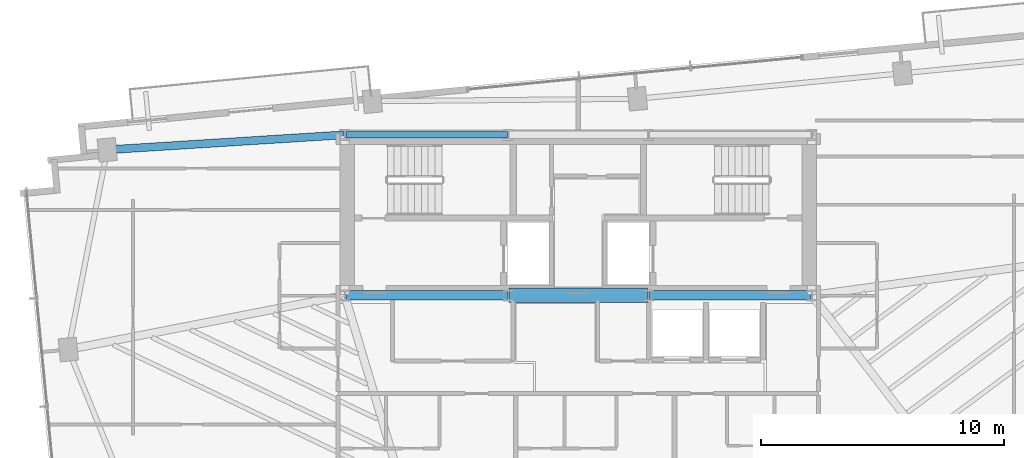
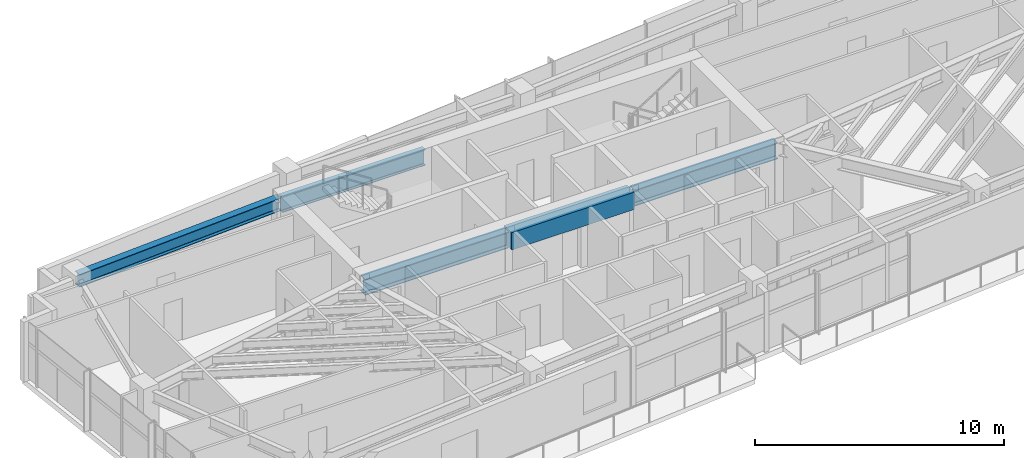
# One storey, part 5 of 18: 5 beams.
"""IFC4 building model written with IfcOpenShell, lengths in metres."""

from ifc_helpers import new_model, si_unit, direction, frame, origin, origin_2d, place, context, subcontext, project, spatial, rectangle, i_section, extrude, source, transform, mapped, material, material_profile, profile_set, type_object, type_shapes, element, save


model = new_model("IFC4")

# Units and contexts
model_context = context("Model", 3, precision=1e-05, world=origin(), true_north=direction((0.0, 1.0)))
body_context = subcontext(model_context, "Body", "Model", "MODEL_VIEW")
ifc_project = project(units=[si_unit("LENGTHUNIT", "METRE"), si_unit("AREAUNIT", "SQUARE_METRE"), si_unit("VOLUMEUNIT", "CUBIC_METRE"), si_unit("PLANEANGLEUNIT", "RADIAN"), si_unit("MASSUNIT", "GRAM", prefix="KILO")], contexts=[model_context])

# Site, building, storey
site_placement = place(None, origin())
site = spatial("IfcSite", under=ifc_project, at=site_placement, CompositionType="ELEMENT")
building_placement = place(site_placement, origin())
building = spatial("IfcBuilding", under=site, at=building_placement, Name="Astriad Promenade Condominiums", CompositionType="ELEMENT")
storey_placement = place(building_placement, frame((0.0, 0.0, 198.60009765625)))
storey = spatial("IfcBuildingStorey", under=building, at=storey_placement, Name="L57", CompositionType="ELEMENT", Elevation=198.60009765625)

# Beams
ifc_material_1 = material(Name="Steel ASTM A992 Grade 50", Category="steel")
ifc_material_profile_1 = material_profile(ifc_material_1, i_section(OverallWidth=0.3837890625, OverallDepth=0.785888671875, WebThickness=0.019775390625, FlangeThickness=0.033447265625, FilletRadius=0.021484375, at=origin_2d()), Name="W30X211")
ifc_profile_set_1 = profile_set([ifc_material_profile_1], Name="Steel ASTM A992 Grade 50")
beam_type_1 = type_object("IfcBeamType", Name="STEEL FLOOR GIRDER W30X211", PredefinedType="BEAM", material=ifc_profile_set_1)
shared_shape_1 = source(origin(), body_context, "Body", "SweptSolid", [
    extrude(i_section(OverallWidth=0.3837890625, OverallDepth=0.785888671875, WebThickness=0.019775390625, FlangeThickness=0.033447265625, FilletRadius=0.021484375, at=origin_2d()), origin(), (0.0, 0.0, 1.0), 6.64013671875),
])
type_shapes(beam_type_1, [shared_shape_1])
for number, where, z_axis, x_axis, name in (
    (1, (26.43994140625, 17.39990234375, 2.546875), (1.0, 0.0, 0.0), (0.0, 1.0, 0.0), "Core Ring Beam CG-S1-L57"),
    (2, (38.919921875, 17.39990234375, 2.546875), (1.0, 0.0, 0.0), (0.0, 1.0, 0.0), "Core Ring Beam CG-S3-L57"),
):
    element("IfcBeam", number, at=place(storey_placement, frame(where, z_axis=z_axis, x_axis=x_axis)), inside=storey, type_object=beam_type_1, Name=name, PredefinedType="BEAM", context=body_context, shape_type="MappedRepresentation", body=[
        mapped(shared_shape_1, transform((0.0, 0.0, 0.0), scale=1.0)),
    ])
ifc_material_profile_2 = material_profile(ifc_material_1, i_section(OverallWidth=0.267822265625, OverallDepth=0.76953125, WebThickness=0.015625, FlangeThickness=0.025390625, FilletRadius=0.021484375, at=origin_2d()), Name="W30X132")
ifc_profile_set_2 = profile_set([ifc_material_profile_2], Name="Steel ASTM A992 Grade 50")
beam_type_2 = type_object("IfcBeamType", Name="STEEL FLOOR GIRDER W30X132", PredefinedType="BEAM", material=ifc_profile_set_2)
shared_shape_2 = source(origin(), body_context, "Body", "SweptSolid", [
    extrude(i_section(OverallWidth=0.267822265625, OverallDepth=0.76953125, WebThickness=0.015625, FlangeThickness=0.025390625, FilletRadius=0.021484375, at=origin_2d()), origin(), (0.0, 0.0, 1.0), 6.64013671875),
])
type_shapes(beam_type_2, [shared_shape_2])
beam_1_placement = place(storey_placement, frame((26.43994140625, 24.0, 2.55517578125), z_axis=(1.0, 0.0, 0.0), x_axis=(0.0, 1.0, 0.0)))
element("IfcBeam", 3, at=beam_1_placement, inside=storey, type_object=beam_type_2, Name="Core Ring Beam CG-N1-L57", PredefinedType="BEAM", context=body_context, shape_type="MappedRepresentation", body=[
    mapped(shared_shape_2, transform((0.0, 0.0, 0.0), scale=1.0)),
])
ifc_material_2 = material(Name="Concrete C60/75", Category="concrete")
ifc_material_profile_3 = material_profile(ifc_material_2, rectangle(XDim=0.60009765625, YDim=0.85009765625, at=origin_2d()), Name="RC-BM-600X850")
ifc_profile_set_3 = profile_set([ifc_material_profile_3], Name="Concrete C60/75")
beam_type_3 = type_object("IfcBeamType", Name="CONCRETE CORE COUPLING LINTEL 600X850", PredefinedType="LINTEL", material=ifc_profile_set_3)
shared_shape_3 = source(origin(), body_context, "Body", "SweptSolid", [
    extrude(rectangle(XDim=0.60009765625, YDim=0.85009765625, at=origin_2d()), origin(), (0.0, 0.0, 1.0), 5.68017578125),
])
type_shapes(beam_type_3, [shared_shape_3])
beam_2_placement = place(storey_placement, frame((33.159912109375, 17.39990234375, 2.514892578125), z_axis=(1.0, 0.0, 0.0), x_axis=(0.0, 1.0, 0.0)))
element("IfcBeam", 4, at=beam_2_placement, inside=storey, type_object=beam_type_3, Name="Core Ring Beam CG-S2-L57", PredefinedType="LINTEL", context=body_context, shape_type="MappedRepresentation", body=[
    mapped(shared_shape_3, transform((0.0, 0.0, 0.0), scale=1.0)),
])
ifc_material_profile_4 = material_profile(ifc_material_1, i_section(OverallWidth=0.326416015625, OverallDepth=0.621826171875, WebThickness=0.015380859375, FlangeThickness=0.0244140625, FilletRadius=0.017822265625, at=origin_2d()), Name="W24X131")
ifc_profile_set_4 = profile_set([ifc_material_profile_4], Name="Steel ASTM A992 Grade 50")
beam_type_4 = type_object("IfcBeamType", Name="STEEL FLOOR GIRDER W24X131", PredefinedType="BEAM", material=ifc_profile_set_4)
shared_shape_4 = source(origin(), body_context, "Body", "SweptSolid", [
    extrude(i_section(OverallWidth=0.326416015625, OverallDepth=0.621826171875, WebThickness=0.015380859375, FlangeThickness=0.0244140625, FilletRadius=0.017822265625, at=origin_2d()), origin(), (0.0, 0.0, 1.0), 9.707275390625),
])
type_shapes(beam_type_4, [shared_shape_4])
beam_3_placement = place(storey_placement, frame((16.672119140625, 23.38671875, 2.62890625), z_axis=(0.998018176507, 0.062926301034, 0.0), x_axis=(-0.062926301034, 0.998018176507, 0.0)))
element("IfcBeam", 5, at=beam_3_placement, inside=storey, type_object=beam_type_4, Name="Primary Floor Girder PG-NW-L57", PredefinedType="BEAM", context=body_context, shape_type="MappedRepresentation", body=[
    mapped(shared_shape_4, transform((0.0, 0.0, 0.0), scale=1.0)),
])

save(model, "model.ifc")
